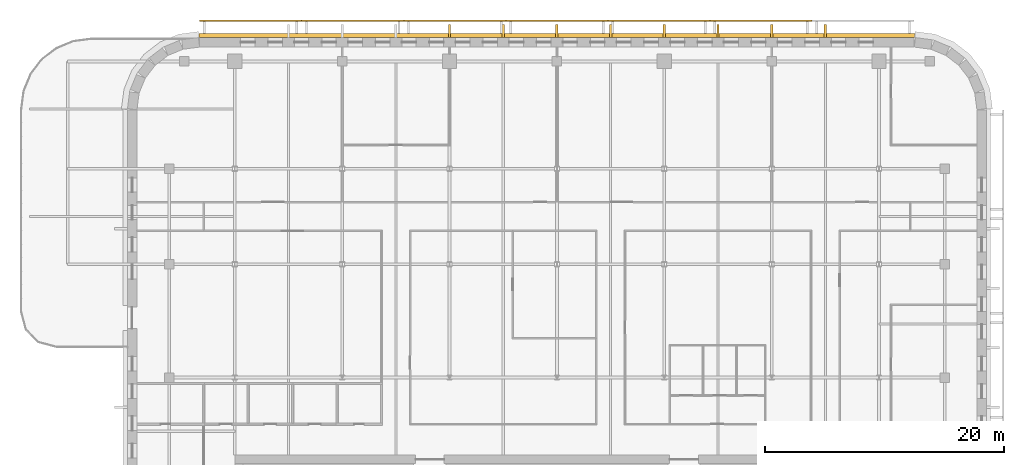
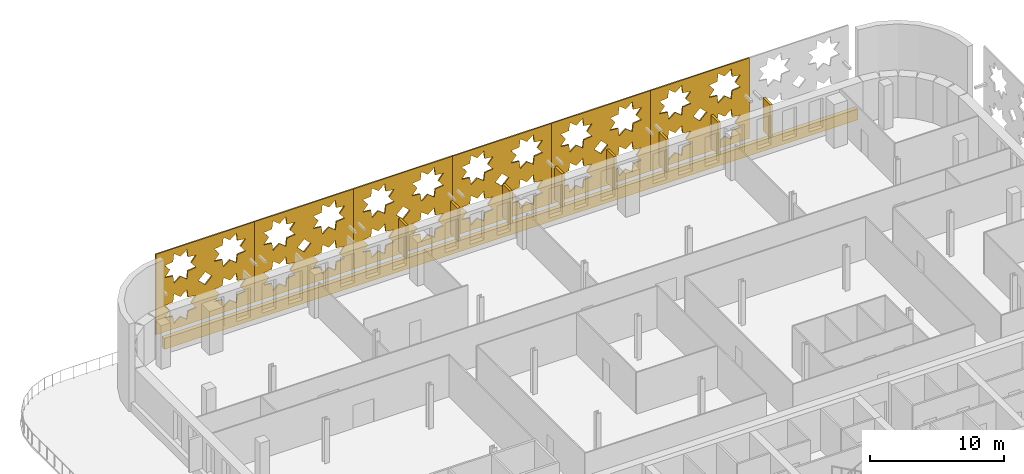
# One storey, part 15 of 17: 15 coverings.
"""IFC4 building model written with IfcOpenShell, lengths in metres."""

import ifcopenshell
import ifcopenshell.guid

model = None  # the IFC model being written
_history = None  # IfcOwnerHistory: only IFC2X3 demands one
_inside = {}  # id of a spatial element -> (the spatial element, [elements in it])
_under = {}  # id of a project, library or spatial element -> (it, [spatial elements below it])
_declared = {}  # id of a project -> (the project, [libraries it declares])
_typed = {}  # id of a type object -> (the type object, [elements of that type])
_made_of = {}  # id of a material, layer set ... -> (it, [elements and type objects made of it])


def new_model(schema):
    """Start an empty IFC model of exactly this schema.

    Asked for "IFC4X3", IfcOpenShell would pick the latest addendum, in which some entities
    have other attributes; the version numbers below select the first issue.
    IFC2X3 requires an IfcOwnerHistory on every rooted entity: one is made here for all.
    """
    global model, _history
    if schema == "IFC4X3":
        model = ifcopenshell.file(schema_version=(4, 3, 0, 0))
    else:
        model = ifcopenshell.file(schema=schema)
    _inside.clear()
    _under.clear()
    _declared.clear()
    _typed.clear()
    _made_of.clear()
    _history = None
    if model.schema == "IFC2X3":
        org = make("IfcOrganization", Name="unknown")
        user = make(
            "IfcPersonAndOrganization",
            ThePerson=make("IfcPerson", FamilyName="unknown"),
            TheOrganization=org,
        )
        app = make(
            "IfcApplication",
            ApplicationDeveloper=org,
            Version="unknown",
            ApplicationFullName="unknown",
            ApplicationIdentifier="unknown",
        )
        _history = make(
            "IfcOwnerHistory",
            OwningUser=user,
            OwningApplication=app,
            ChangeAction="ADDED",
            CreationDate=0,
        )
    return model


def make(cls, **values):
    """One entity of the class cls with the attributes given. An attribute that is None is left unset."""
    return model.create_entity(
        cls, **{name: value for name, value in values.items() if value is not None}
    )


def rooted(cls, **values):
    """An entity with a GlobalId (a new one), such as an element, a storey or a relation."""
    return make(cls, GlobalId=ifcopenshell.guid.new(), OwnerHistory=_history, **values)


def si_unit(unit_type, name, prefix=None):
    """IfcSIUnit, for example si_unit("LENGTHUNIT", "METRE", prefix="MILLI")."""
    return make("IfcSIUnit", UnitType=unit_type, Prefix=prefix, Name=name)


def assignment(units):
    """IfcUnitAssignment: the units of a project."""
    return None if units is None else make("IfcUnitAssignment", Units=units)


def point(xyz):
    """IfcCartesianPoint."""
    return None if xyz is None else make("IfcCartesianPoint", Coordinates=xyz)


def direction(xyz):
    """IfcDirection."""
    return None if xyz is None else make("IfcDirection", DirectionRatios=xyz)


def frame(location, z_axis=None, x_axis=None):
    """IfcAxis2Placement3D, a coordinate frame: its origin and axes. An axis left out is left unset."""
    return make(
        "IfcAxis2Placement3D",
        Location=point(location),
        Axis=direction(z_axis),
        RefDirection=direction(x_axis),
    )


def origin():
    """The frame at (0, 0, 0) with its axes left unset."""
    return frame((0.0, 0.0, 0.0))


def place(relative_to, where):
    """IfcLocalPlacement: puts the frame where relative to a parent placement (None: the world)."""
    return make(
        "IfcLocalPlacement", PlacementRelTo=relative_to, RelativePlacement=where
    )


def context(
    kind, dimensions, precision=None, world=None, true_north=None, identifier=None
):
    """IfcGeometricRepresentationContext, for example the 3D "Model" context."""
    return make(
        "IfcGeometricRepresentationContext",
        ContextIdentifier=identifier,
        ContextType=kind,
        CoordinateSpaceDimension=dimensions,
        Precision=precision,
        WorldCoordinateSystem=world,
        TrueNorth=true_north,
    )


def subcontext(parent, identifier, kind, view, scale=None):
    """IfcGeometricRepresentationSubContext, for example "Body" below "Model"."""
    return make(
        "IfcGeometricRepresentationSubContext",
        ContextIdentifier=identifier,
        ContextType=kind,
        ParentContext=parent,
        TargetScale=scale,
        TargetView=view,
    )


def project(units=None, contexts=None):
    """IfcProject with its units and contexts."""
    return rooted(
        "IfcProject",
        Name="project",
        RepresentationContexts=contexts,
        UnitsInContext=assignment(units),
    )


def spatial(cls, under=None, at=None, **own):
    """A site, building, storey or space (cls), placed at a placement, below another one or the project."""
    s = rooted(cls, ObjectPlacement=at, **own)
    if under is not None:
        _under.setdefault(under.id(), (under, []))[1].append(s)
    return s


def polyline(points):
    """IfcPolyline through the points."""
    return make("IfcPolyline", Points=[point(p) for p in points])


def outline(outer, holes=None, kind="AREA"):
    """IfcArbitraryClosedProfileDef: a profile drawn as a closed curve; with holes, ...WithVoids."""
    if holes is None:
        return make("IfcArbitraryClosedProfileDef", ProfileType=kind, OuterCurve=outer)
    return make(
        "IfcArbitraryProfileDefWithVoids",
        ProfileType=kind,
        OuterCurve=outer,
        InnerCurves=holes,
    )


def extrude(swept, where, along, depth):
    """IfcExtrudedAreaSolid: the profile swept, set in the frame where, extruded along a direction by depth."""
    return make(
        "IfcExtrudedAreaSolid",
        SweptArea=swept,
        Position=where,
        ExtrudedDirection=direction(along),
        Depth=depth,
    )


def shape(context_of_items, identifier, shape_type, items):
    """IfcShapeRepresentation: the items that make up one representation, for example the "Body"."""
    return make(
        "IfcShapeRepresentation",
        ContextOfItems=context_of_items,
        RepresentationIdentifier=identifier,
        RepresentationType=shape_type,
        Items=items,
    )


def material(Name=None, Category=None):
    """IfcMaterial."""
    return make("IfcMaterial", Name=Name, Category=Category)


def layer(
    of_material, thickness, ventilated=None, Name=None, Category=None, Priority=None
):
    """IfcMaterialLayer: one layer of a wall or slab, of a material (None: an air gap)."""
    return make(
        "IfcMaterialLayer",
        Material=of_material,
        LayerThickness=thickness,
        IsVentilated=ventilated,
        Name=Name,
        Category=Category,
        Priority=Priority,
    )


def layer_set(layers, Name=None):
    """IfcMaterialLayerSet."""
    return make("IfcMaterialLayerSet", MaterialLayers=layers, LayerSetName=Name)


def made_of(thing, what):
    """Note that an element or type object is made of a material, layer set ...; save() writes the relation."""
    if what is not None:
        _made_of.setdefault(what.id(), (what, []))[1].append(thing)
    return thing


def type_object(cls, material=None, **own):
    """A type object (cls), such as IfcWallType, which elements share."""
    return made_of(rooted(cls, **own), material)


def element(
    cls,
    number,
    at=None,
    inside=None,
    cuts=None,
    type_object=None,
    material=None,
    context=None,
    identifier="Body",
    shape_type=None,
    held_by="IfcProductDefinitionShape",
    body=None,
    shapes=None,
    **own,
):
    """One element of the class cls, such as IfcWall. Its Tag is "e" and its number.

    at: its placement. inside: the storey or other place that contains it. cuts: it is an
    opening in that element (IfcRelVoidsElement). A single representation is given by context,
    identifier, shape_type and body (its items); several are given by shapes. held_by: the class
    of the entity that holds the representations. save() writes the other relations.
    """
    e = rooted(cls, Tag="e%d" % number, ObjectPlacement=at, **own)
    if body is not None:
        shapes = [shape(context, identifier, shape_type, body)]
    if shapes is not None:
        e.Representation = make(held_by, Representations=shapes)
    if inside is not None:
        _inside.setdefault(inside.id(), (inside, []))[1].append(e)
    if cuts is not None:
        rooted(
            "IfcRelVoidsElement", RelatingBuildingElement=cuts, RelatedOpeningElement=e
        )
    if type_object is not None:
        _typed.setdefault(type_object.id(), (type_object, []))[1].append(e)
    return made_of(e, material)


def aggregate(whole, parts):
    """IfcRelAggregates: a whole, such as a stair, and the parts it consists of."""
    return rooted("IfcRelAggregates", RelatingObject=whole, RelatedObjects=parts)


def save(model, path):
    """Write the relations noted so far, then the file.

    IfcRelAggregates (storeys below a building ...), IfcRelContainedInSpatialStructure (elements
    in a storey), IfcRelDefinesByType, IfcRelAssociatesMaterial and IfcRelDeclares: one each for
    every whole, place, type object, material and project.
    """
    for whole, parts in _under.values():
        aggregate(whole, parts)
    for where, things in _inside.values():
        rooted(
            "IfcRelContainedInSpatialStructure",
            RelatedElements=things,
            RelatingStructure=where,
        )
    for kind, things in _typed.values():
        rooted("IfcRelDefinesByType", RelatedObjects=things, RelatingType=kind)
    for what, things in _made_of.values():
        rooted("IfcRelAssociatesMaterial", RelatedObjects=things, RelatingMaterial=what)
    for by, libraries in _declared.values():
        rooted("IfcRelDeclares", RelatingContext=by, RelatedDefinitions=libraries)
    model.write(path)


model = new_model("IFC4")

# Units and contexts
model_context = context("Model", 3, precision=1e-05, world=origin(), true_north=direction((0.0, 1.0)))
body_context = subcontext(model_context, "Body", "Model", "MODEL_VIEW")
ifc_project = project(units=[si_unit("LENGTHUNIT", "METRE"), si_unit("AREAUNIT", "SQUARE_METRE"), si_unit("VOLUMEUNIT", "CUBIC_METRE"), si_unit("PLANEANGLEUNIT", "RADIAN"), si_unit("MASSUNIT", "GRAM", prefix="KILO")], contexts=[model_context])

# Site, building, storey
site_placement = place(None, origin())
site = spatial("IfcSite", under=ifc_project, at=site_placement, CompositionType="ELEMENT")
building_placement = place(site_placement, origin())
building = spatial("IfcBuilding", under=site, at=building_placement, Name="Zellij Exchange Tower", CompositionType="ELEMENT")
storey_placement = place(building_placement, frame((0.0, 0.0, 256.5)))
storey = spatial("IfcBuildingStorey", under=building, at=storey_placement, Name="L60", CompositionType="ELEMENT", Elevation=256.5)

# Coverings
ifc_material_1 = material(Name="Limestone cladding", Category="masonry")
ifc_layer_1 = layer(ifc_material_1, 0.35009765625)
ifc_layer_set_1 = layer_set([ifc_layer_1], Name="Limestone cladding")
covering_type_1 = type_object("IfcCoveringType", Name="ENV-CV10 Stone spandrel band 350", PredefinedType="CLADDING", material=ifc_layer_set_1)
covering_1_placement = place(storey_placement, frame((0.0, 0.0, -0.199951171875)))
element("IfcCovering", 1, at=covering_1_placement, inside=storey, type_object=covering_type_1, Name="Stone spandrel band", PredefinedType="CLADDING", context=body_context, shape_type="SweptSolid", body=[
    extrude(outline(polyline([(29.973876953125, 33.0), (-29.973876953125, 33.0), (-29.99658203125, 33.35009765625), (29.99658203125, 33.35009765625), (29.973876953125, 33.0)])), origin(), (0.0, 0.0, 1.0), 1.0),
])
covering_type_2 = type_object("IfcCoveringType", Name="ENV-CV6 Stone pier 200x1100", PredefinedType="CLADDING", material=ifc_material_1)
covering_2_placement = place(storey_placement, frame((0.0, 0.0, 0.800048828125)))
element("IfcCovering", 2, at=covering_2_placement, inside=storey, type_object=covering_type_2, Name="Stone pier", PredefinedType="CLADDING", context=body_context, shape_type="SweptSolid", body=[
    extrude(outline(polyline([(22.60009765625, 33.0), (22.39990234375, 33.0), (22.39990234375, 34.10009765625), (22.60009765625, 34.10009765625), (22.60009765625, 33.0)])), origin(), (0.0, 0.0, 1.0), 3.0),
])
covering_3_placement = place(storey_placement, frame((0.0, 0.0, 0.800048828125)))
element("IfcCovering", 3, at=covering_3_placement, inside=storey, type_object=covering_type_2, Name="Stone pier", PredefinedType="CLADDING", context=body_context, shape_type="SweptSolid", body=[
    extrude(outline(polyline([(18.10009765625, 33.0), (17.89990234375, 33.0), (17.89990234375, 34.10009765625), (18.10009765625, 34.10009765625), (18.10009765625, 33.0)])), origin(), (0.0, 0.0, 1.0), 3.0),
])
covering_4_placement = place(storey_placement, frame((0.0, 0.0, 0.800048828125)))
element("IfcCovering", 4, at=covering_4_placement, inside=storey, type_object=covering_type_2, Name="Stone pier", PredefinedType="CLADDING", context=body_context, shape_type="SweptSolid", body=[
    extrude(outline(polyline([(13.60009765625, 33.0), (13.39990234375, 33.0), (13.39990234375, 34.10009765625), (13.60009765625, 34.10009765625), (13.60009765625, 33.0)])), origin(), (0.0, 0.0, 1.0), 3.0),
])
covering_5_placement = place(storey_placement, frame((0.0, 0.0, 0.800048828125)))
element("IfcCovering", 5, at=covering_5_placement, inside=storey, type_object=covering_type_2, Name="Stone pier", PredefinedType="CLADDING", context=body_context, shape_type="SweptSolid", body=[
    extrude(outline(polyline([(9.10009765625, 33.0), (8.89990234375, 33.0), (8.89990234375, 34.10009765625), (9.10009765625, 34.10009765625), (9.10009765625, 33.0)])), origin(), (0.0, 0.0, 1.0), 3.0),
])
covering_6_placement = place(storey_placement, frame((0.0, 0.0, 0.800048828125)))
element("IfcCovering", 6, at=covering_6_placement, inside=storey, type_object=covering_type_2, Name="Stone pier", PredefinedType="CLADDING", context=body_context, shape_type="SweptSolid", body=[
    extrude(outline(polyline([(4.60009765625, 33.0), (4.39990234375, 33.0), (4.39990234375, 34.10009765625), (4.60009765625, 34.10009765625), (4.60009765625, 33.0)])), origin(), (0.0, 0.0, 1.0), 3.0),
])
covering_7_placement = place(storey_placement, frame((0.0, 0.0, 0.800048828125)))
element("IfcCovering", 7, at=covering_7_placement, inside=storey, type_object=covering_type_2, Name="Stone pier", PredefinedType="CLADDING", context=body_context, shape_type="SweptSolid", body=[
    extrude(outline(polyline([(0.10009765625, 33.0), (-0.10009765625, 33.0), (-0.10009765625, 34.10009765625), (0.10009765625, 34.10009765625), (0.10009765625, 33.0)])), origin(), (0.0, 0.0, 1.0), 3.0),
])
covering_8_placement = place(storey_placement, frame((0.0, 0.0, 0.800048828125)))
element("IfcCovering", 8, at=covering_8_placement, inside=storey, type_object=covering_type_2, Name="Stone pier", PredefinedType="CLADDING", context=body_context, shape_type="SweptSolid", body=[
    extrude(outline(polyline([(-4.39990234375, 33.0), (-4.60009765625, 33.0), (-4.60009765625, 34.10009765625), (-4.39990234375, 34.10009765625), (-4.39990234375, 33.0)])), origin(), (0.0, 0.0, 1.0), 3.0),
])
covering_9_placement = place(storey_placement, frame((0.0, 0.0, 0.800048828125)))
element("IfcCovering", 9, at=covering_9_placement, inside=storey, type_object=covering_type_2, Name="Stone pier", PredefinedType="CLADDING", context=body_context, shape_type="SweptSolid", body=[
    extrude(outline(polyline([(-8.89990234375, 33.0), (-9.10009765625, 33.0), (-9.10009765625, 34.10009765625), (-8.89990234375, 34.10009765625), (-8.89990234375, 33.0)])), origin(), (0.0, 0.0, 1.0), 3.0),
])
ifc_material_2 = material(Name="Limestone screen", Category="masonry")
ifc_layer_2 = layer(ifc_material_2, 0.1201171875)
ifc_layer_set_2 = layer_set([ifc_layer_2], Name="Limestone screen")
covering_type_3 = type_object("IfcCoveringType", Name="ENV-SC1 Pierced stone screen 120", PredefinedType="USERDEFINED", material=ifc_layer_set_2)
covering_10_placement = place(storey_placement, frame((21.39111328125, 34.409912109375, 0.300048828125), z_axis=(0.0, 0.0, 1.0), x_axis=(-1.0, 0.0, 0.0)))
element("IfcCovering", 10, at=covering_10_placement, inside=storey, type_object=covering_type_3, Name="Pierced stone screen", ObjectType="SCREEN", PredefinedType="USERDEFINED", context=body_context, shape_type="SweptSolid", body=[
    extrude(outline(polyline([(0.0, 0.0), (8.556396484375, 0.0), (8.556396484375, 7.35009765625), (0.0, 7.35009765625), (0.0, 0.0)]), holes=[polyline([(3.497314453125, 2.39990234375), (2.78369140625, 2.48193359375), (2.70166015625, 3.195556640625), (2.13916015625, 2.748779296875), (1.57666015625, 3.195556640625), (1.49462890625, 2.48193359375), (0.781005859375, 2.39990234375), (1.227783203125, 1.83740234375), (0.781005859375, 1.27490234375), (1.49462890625, 1.193115234375), (1.57666015625, 0.4794921875), (2.13916015625, 0.926025390625), (2.70166015625, 0.4794921875), (2.78369140625, 1.193115234375), (3.497314453125, 1.27490234375), (3.050537109375, 1.83740234375), (3.497314453125, 2.39990234375)]), polyline([(3.497314453125, 6.074951171875), (2.78369140625, 6.156982421875), (2.70166015625, 6.87060546875), (2.13916015625, 6.423828125), (1.57666015625, 6.87060546875), (1.49462890625, 6.156982421875), (0.781005859375, 6.074951171875), (1.227783203125, 5.512451171875), (0.781005859375, 4.949951171875), (1.49462890625, 4.867919921875), (1.57666015625, 4.154296875), (2.13916015625, 4.60107421875), (2.70166015625, 4.154296875), (2.78369140625, 4.867919921875), (3.497314453125, 4.949951171875), (3.050537109375, 5.512451171875), (3.497314453125, 6.074951171875)]), polyline([(7.775390625, 2.39990234375), (7.061767578125, 2.48193359375), (6.97998046875, 3.195556640625), (6.417236328125, 2.748779296875), (5.854736328125, 3.195556640625), (5.77294921875, 2.48193359375), (5.05908203125, 2.39990234375), (5.505859375, 1.83740234375), (5.05908203125, 1.27490234375), (5.77294921875, 1.193115234375), (5.854736328125, 0.4794921875), (6.417236328125, 0.926025390625), (6.97998046875, 0.4794921875), (7.061767578125, 1.193115234375), (7.775390625, 1.27490234375), (7.32861328125, 1.83740234375), (7.775390625, 2.39990234375)]), polyline([(7.775390625, 6.074951171875), (7.061767578125, 6.156982421875), (6.97998046875, 6.87060546875), (6.417236328125, 6.423828125), (5.854736328125, 6.87060546875), (5.77294921875, 6.156982421875), (5.05908203125, 6.074951171875), (5.505859375, 5.512451171875), (5.05908203125, 4.949951171875), (5.77294921875, 4.867919921875), (5.854736328125, 4.154296875), (6.417236328125, 4.60107421875), (6.97998046875, 4.154296875), (7.061767578125, 4.867919921875), (7.775390625, 4.949951171875), (7.32861328125, 5.512451171875), (7.775390625, 6.074951171875)]), polyline([(4.8662109375, 3.675048828125), (4.2783203125, 4.262939453125), (3.690185546875, 3.675048828125), (4.2783203125, 3.0869140625), (4.8662109375, 3.675048828125)])]), frame((0.0, 0.06005859375, 0.0), z_axis=(0.0, -1.0, 0.0), x_axis=(1.0, 0.0, 0.0)), (0.0, 0.0, 1.0), 0.1201171875),
])
covering_11_placement = place(storey_placement, frame((12.834716796875, 34.409912109375, 0.300048828125), z_axis=(0.0, 0.0, 1.0), x_axis=(-1.0, 0.0, 0.0)))
element("IfcCovering", 11, at=covering_11_placement, inside=storey, type_object=covering_type_3, Name="Pierced stone screen", ObjectType="SCREEN", PredefinedType="USERDEFINED", context=body_context, shape_type="SweptSolid", body=[
    extrude(outline(polyline([(0.0, 0.0), (8.556396484375, 0.0), (8.556396484375, 7.35009765625), (0.0, 7.35009765625), (0.0, 0.0)]), holes=[polyline([(3.497314453125, 2.39990234375), (2.78369140625, 2.48193359375), (2.70166015625, 3.195556640625), (2.13916015625, 2.748779296875), (1.57666015625, 3.195556640625), (1.49462890625, 2.48193359375), (0.781005859375, 2.39990234375), (1.227783203125, 1.83740234375), (0.781005859375, 1.27490234375), (1.49462890625, 1.193115234375), (1.57666015625, 0.4794921875), (2.13916015625, 0.926025390625), (2.70166015625, 0.4794921875), (2.78369140625, 1.193115234375), (3.497314453125, 1.27490234375), (3.050537109375, 1.83740234375), (3.497314453125, 2.39990234375)]), polyline([(3.497314453125, 6.074951171875), (2.78369140625, 6.156982421875), (2.70166015625, 6.87060546875), (2.13916015625, 6.423828125), (1.57666015625, 6.87060546875), (1.49462890625, 6.156982421875), (0.781005859375, 6.074951171875), (1.227783203125, 5.512451171875), (0.781005859375, 4.949951171875), (1.49462890625, 4.867919921875), (1.57666015625, 4.154296875), (2.13916015625, 4.60107421875), (2.70166015625, 4.154296875), (2.78369140625, 4.867919921875), (3.497314453125, 4.949951171875), (3.050537109375, 5.512451171875), (3.497314453125, 6.074951171875)]), polyline([(7.775390625, 2.39990234375), (7.061767578125, 2.48193359375), (6.97998046875, 3.195556640625), (6.417236328125, 2.748779296875), (5.854736328125, 3.195556640625), (5.77294921875, 2.48193359375), (5.05908203125, 2.39990234375), (5.505859375, 1.83740234375), (5.05908203125, 1.27490234375), (5.77294921875, 1.193115234375), (5.854736328125, 0.4794921875), (6.417236328125, 0.926025390625), (6.97998046875, 0.4794921875), (7.061767578125, 1.193115234375), (7.775390625, 1.27490234375), (7.32861328125, 1.83740234375), (7.775390625, 2.39990234375)]), polyline([(7.775390625, 6.074951171875), (7.061767578125, 6.156982421875), (6.97998046875, 6.87060546875), (6.417236328125, 6.423828125), (5.854736328125, 6.87060546875), (5.77294921875, 6.156982421875), (5.05908203125, 6.074951171875), (5.505859375, 5.512451171875), (5.05908203125, 4.949951171875), (5.77294921875, 4.867919921875), (5.854736328125, 4.154296875), (6.417236328125, 4.60107421875), (6.97998046875, 4.154296875), (7.061767578125, 4.867919921875), (7.775390625, 4.949951171875), (7.32861328125, 5.512451171875), (7.775390625, 6.074951171875)]), polyline([(4.8662109375, 3.675048828125), (4.2783203125, 4.262939453125), (3.690185546875, 3.675048828125), (4.2783203125, 3.0869140625), (4.8662109375, 3.675048828125)])]), frame((0.0, 0.06005859375, 0.0), z_axis=(0.0, -1.0, 0.0), x_axis=(1.0, 0.0, 0.0)), (0.0, 0.0, 1.0), 0.1201171875),
])
covering_12_placement = place(storey_placement, frame((4.2783203125, 34.409912109375, 0.300048828125), z_axis=(0.0, 0.0, 1.0), x_axis=(-1.0, 0.0, 0.0)))
element("IfcCovering", 12, at=covering_12_placement, inside=storey, type_object=covering_type_3, Name="Pierced stone screen", ObjectType="SCREEN", PredefinedType="USERDEFINED", context=body_context, shape_type="SweptSolid", body=[
    extrude(outline(polyline([(0.0, 0.0), (8.556396484375, 0.0), (8.556396484375, 7.35009765625), (0.0, 7.35009765625), (0.0, 0.0)]), holes=[polyline([(3.497314453125, 2.39990234375), (2.78369140625, 2.48193359375), (2.70166015625, 3.195556640625), (2.13916015625, 2.748779296875), (1.57666015625, 3.195556640625), (1.49462890625, 2.48193359375), (0.781005859375, 2.39990234375), (1.227783203125, 1.83740234375), (0.781005859375, 1.27490234375), (1.49462890625, 1.193115234375), (1.57666015625, 0.4794921875), (2.13916015625, 0.926025390625), (2.70166015625, 0.4794921875), (2.78369140625, 1.193115234375), (3.497314453125, 1.27490234375), (3.050537109375, 1.83740234375), (3.497314453125, 2.39990234375)]), polyline([(3.497314453125, 6.074951171875), (2.78369140625, 6.156982421875), (2.70166015625, 6.87060546875), (2.13916015625, 6.423828125), (1.57666015625, 6.87060546875), (1.49462890625, 6.156982421875), (0.781005859375, 6.074951171875), (1.227783203125, 5.512451171875), (0.781005859375, 4.949951171875), (1.49462890625, 4.867919921875), (1.57666015625, 4.154296875), (2.13916015625, 4.60107421875), (2.70166015625, 4.154296875), (2.78369140625, 4.867919921875), (3.497314453125, 4.949951171875), (3.050537109375, 5.512451171875), (3.497314453125, 6.074951171875)]), polyline([(7.775390625, 2.39990234375), (7.061767578125, 2.48193359375), (6.97998046875, 3.195556640625), (6.417236328125, 2.748779296875), (5.854736328125, 3.195556640625), (5.77294921875, 2.48193359375), (5.05908203125, 2.39990234375), (5.505859375, 1.83740234375), (5.05908203125, 1.27490234375), (5.77294921875, 1.193115234375), (5.854736328125, 0.4794921875), (6.417236328125, 0.926025390625), (6.97998046875, 0.4794921875), (7.061767578125, 1.193115234375), (7.775390625, 1.27490234375), (7.32861328125, 1.83740234375), (7.775390625, 2.39990234375)]), polyline([(7.775390625, 6.074951171875), (7.061767578125, 6.156982421875), (6.97998046875, 6.87060546875), (6.417236328125, 6.423828125), (5.854736328125, 6.87060546875), (5.77294921875, 6.156982421875), (5.05908203125, 6.074951171875), (5.505859375, 5.512451171875), (5.05908203125, 4.949951171875), (5.77294921875, 4.867919921875), (5.854736328125, 4.154296875), (6.417236328125, 4.60107421875), (6.97998046875, 4.154296875), (7.061767578125, 4.867919921875), (7.775390625, 4.949951171875), (7.32861328125, 5.512451171875), (7.775390625, 6.074951171875)]), polyline([(4.8662109375, 3.675048828125), (4.2783203125, 4.262939453125), (3.690185546875, 3.675048828125), (4.2783203125, 3.0869140625), (4.8662109375, 3.675048828125)])]), frame((0.0, 0.06005859375, 0.0), z_axis=(0.0, -1.0, 0.0), x_axis=(1.0, 0.0, 0.0)), (0.0, 0.0, 1.0), 0.1201171875),
])
covering_13_placement = place(storey_placement, frame((-4.2783203125, 34.409912109375, 0.300048828125), z_axis=(0.0, 0.0, 1.0), x_axis=(-1.0, 0.0, 0.0)))
element("IfcCovering", 13, at=covering_13_placement, inside=storey, type_object=covering_type_3, Name="Pierced stone screen", ObjectType="SCREEN", PredefinedType="USERDEFINED", context=body_context, shape_type="SweptSolid", body=[
    extrude(outline(polyline([(0.0, 0.0), (8.556396484375, 0.0), (8.556396484375, 7.35009765625), (0.0, 7.35009765625), (0.0, 0.0)]), holes=[polyline([(3.497314453125, 2.39990234375), (2.78369140625, 2.48193359375), (2.70166015625, 3.195556640625), (2.13916015625, 2.748779296875), (1.57666015625, 3.195556640625), (1.49462890625, 2.48193359375), (0.781005859375, 2.39990234375), (1.227783203125, 1.83740234375), (0.781005859375, 1.27490234375), (1.49462890625, 1.193115234375), (1.57666015625, 0.4794921875), (2.13916015625, 0.926025390625), (2.70166015625, 0.4794921875), (2.78369140625, 1.193115234375), (3.497314453125, 1.27490234375), (3.050537109375, 1.83740234375), (3.497314453125, 2.39990234375)]), polyline([(3.497314453125, 6.074951171875), (2.78369140625, 6.156982421875), (2.70166015625, 6.87060546875), (2.13916015625, 6.423828125), (1.57666015625, 6.87060546875), (1.49462890625, 6.156982421875), (0.781005859375, 6.074951171875), (1.227783203125, 5.512451171875), (0.781005859375, 4.949951171875), (1.49462890625, 4.867919921875), (1.57666015625, 4.154296875), (2.13916015625, 4.60107421875), (2.70166015625, 4.154296875), (2.78369140625, 4.867919921875), (3.497314453125, 4.949951171875), (3.050537109375, 5.512451171875), (3.497314453125, 6.074951171875)]), polyline([(7.775390625, 2.39990234375), (7.061767578125, 2.48193359375), (6.97998046875, 3.195556640625), (6.417236328125, 2.748779296875), (5.854736328125, 3.195556640625), (5.77294921875, 2.48193359375), (5.05908203125, 2.39990234375), (5.505859375, 1.83740234375), (5.05908203125, 1.27490234375), (5.77294921875, 1.193115234375), (5.854736328125, 0.4794921875), (6.417236328125, 0.926025390625), (6.97998046875, 0.4794921875), (7.061767578125, 1.193115234375), (7.775390625, 1.27490234375), (7.32861328125, 1.83740234375), (7.775390625, 2.39990234375)]), polyline([(7.775390625, 6.074951171875), (7.061767578125, 6.156982421875), (6.97998046875, 6.87060546875), (6.417236328125, 6.423828125), (5.854736328125, 6.87060546875), (5.77294921875, 6.156982421875), (5.05908203125, 6.074951171875), (5.505859375, 5.512451171875), (5.05908203125, 4.949951171875), (5.77294921875, 4.867919921875), (5.854736328125, 4.154296875), (6.417236328125, 4.60107421875), (6.97998046875, 4.154296875), (7.061767578125, 4.867919921875), (7.775390625, 4.949951171875), (7.32861328125, 5.512451171875), (7.775390625, 6.074951171875)]), polyline([(4.8662109375, 3.675048828125), (4.2783203125, 4.262939453125), (3.690185546875, 3.675048828125), (4.2783203125, 3.0869140625), (4.8662109375, 3.675048828125)])]), frame((0.0, 0.06005859375, 0.0), z_axis=(0.0, -1.0, 0.0), x_axis=(1.0, 0.0, 0.0)), (0.0, 0.0, 1.0), 0.1201171875),
])
covering_14_placement = place(storey_placement, frame((-12.834716796875, 34.409912109375, 0.300048828125), z_axis=(0.0, 0.0, 1.0), x_axis=(-1.0, 0.0, 0.0)))
element("IfcCovering", 14, at=covering_14_placement, inside=storey, type_object=covering_type_3, Name="Pierced stone screen", ObjectType="SCREEN", PredefinedType="USERDEFINED", context=body_context, shape_type="SweptSolid", body=[
    extrude(outline(polyline([(0.0, 0.0), (8.556396484375, 0.0), (8.556396484375, 7.35009765625), (0.0, 7.35009765625), (0.0, 0.0)]), holes=[polyline([(3.497314453125, 2.39990234375), (2.78369140625, 2.48193359375), (2.70166015625, 3.195556640625), (2.13916015625, 2.748779296875), (1.57666015625, 3.195556640625), (1.49462890625, 2.48193359375), (0.781005859375, 2.39990234375), (1.227783203125, 1.83740234375), (0.781005859375, 1.27490234375), (1.49462890625, 1.193115234375), (1.57666015625, 0.4794921875), (2.13916015625, 0.926025390625), (2.70166015625, 0.4794921875), (2.78369140625, 1.193115234375), (3.497314453125, 1.27490234375), (3.050537109375, 1.83740234375), (3.497314453125, 2.39990234375)]), polyline([(3.497314453125, 6.074951171875), (2.78369140625, 6.156982421875), (2.70166015625, 6.87060546875), (2.13916015625, 6.423828125), (1.57666015625, 6.87060546875), (1.49462890625, 6.156982421875), (0.781005859375, 6.074951171875), (1.227783203125, 5.512451171875), (0.781005859375, 4.949951171875), (1.49462890625, 4.867919921875), (1.57666015625, 4.154296875), (2.13916015625, 4.60107421875), (2.70166015625, 4.154296875), (2.78369140625, 4.867919921875), (3.497314453125, 4.949951171875), (3.050537109375, 5.512451171875), (3.497314453125, 6.074951171875)]), polyline([(7.775390625, 2.39990234375), (7.061767578125, 2.48193359375), (6.97998046875, 3.195556640625), (6.417236328125, 2.748779296875), (5.854736328125, 3.195556640625), (5.77294921875, 2.48193359375), (5.05908203125, 2.39990234375), (5.505859375, 1.83740234375), (5.05908203125, 1.27490234375), (5.77294921875, 1.193115234375), (5.854736328125, 0.4794921875), (6.417236328125, 0.926025390625), (6.97998046875, 0.4794921875), (7.061767578125, 1.193115234375), (7.775390625, 1.27490234375), (7.32861328125, 1.83740234375), (7.775390625, 2.39990234375)]), polyline([(7.775390625, 6.074951171875), (7.061767578125, 6.156982421875), (6.97998046875, 6.87060546875), (6.417236328125, 6.423828125), (5.854736328125, 6.87060546875), (5.77294921875, 6.156982421875), (5.05908203125, 6.074951171875), (5.505859375, 5.512451171875), (5.05908203125, 4.949951171875), (5.77294921875, 4.867919921875), (5.854736328125, 4.154296875), (6.417236328125, 4.60107421875), (6.97998046875, 4.154296875), (7.061767578125, 4.867919921875), (7.775390625, 4.949951171875), (7.32861328125, 5.512451171875), (7.775390625, 6.074951171875)]), polyline([(4.8662109375, 3.675048828125), (4.2783203125, 4.262939453125), (3.690185546875, 3.675048828125), (4.2783203125, 3.0869140625), (4.8662109375, 3.675048828125)])]), frame((0.0, 0.06005859375, 0.0), z_axis=(0.0, -1.0, 0.0), x_axis=(1.0, 0.0, 0.0)), (0.0, 0.0, 1.0), 0.1201171875),
])
covering_15_placement = place(storey_placement, frame((-21.39111328125, 34.409912109375, 0.300048828125), z_axis=(0.0, 0.0, 1.0), x_axis=(-1.0, 0.0, 0.0)))
element("IfcCovering", 15, at=covering_15_placement, inside=storey, type_object=covering_type_3, Name="Pierced stone screen", ObjectType="SCREEN", PredefinedType="USERDEFINED", context=body_context, shape_type="SweptSolid", body=[
    extrude(outline(polyline([(0.0, 0.0), (8.556396484375, 0.0), (8.556396484375, 7.35009765625), (0.0, 7.35009765625), (0.0, 0.0)]), holes=[polyline([(3.497314453125, 2.39990234375), (2.78369140625, 2.48193359375), (2.70166015625, 3.195556640625), (2.13916015625, 2.748779296875), (1.57666015625, 3.195556640625), (1.49462890625, 2.48193359375), (0.781005859375, 2.39990234375), (1.227783203125, 1.83740234375), (0.781005859375, 1.27490234375), (1.49462890625, 1.193115234375), (1.57666015625, 0.4794921875), (2.13916015625, 0.926025390625), (2.70166015625, 0.4794921875), (2.78369140625, 1.193115234375), (3.497314453125, 1.27490234375), (3.050537109375, 1.83740234375), (3.497314453125, 2.39990234375)]), polyline([(3.497314453125, 6.074951171875), (2.78369140625, 6.156982421875), (2.70166015625, 6.87060546875), (2.13916015625, 6.423828125), (1.57666015625, 6.87060546875), (1.49462890625, 6.156982421875), (0.781005859375, 6.074951171875), (1.227783203125, 5.512451171875), (0.781005859375, 4.949951171875), (1.49462890625, 4.867919921875), (1.57666015625, 4.154296875), (2.13916015625, 4.60107421875), (2.70166015625, 4.154296875), (2.78369140625, 4.867919921875), (3.497314453125, 4.949951171875), (3.050537109375, 5.512451171875), (3.497314453125, 6.074951171875)]), polyline([(7.775390625, 2.39990234375), (7.061767578125, 2.48193359375), (6.97998046875, 3.195556640625), (6.417236328125, 2.748779296875), (5.854736328125, 3.195556640625), (5.77294921875, 2.48193359375), (5.05908203125, 2.39990234375), (5.505859375, 1.83740234375), (5.05908203125, 1.27490234375), (5.77294921875, 1.193115234375), (5.854736328125, 0.4794921875), (6.417236328125, 0.926025390625), (6.97998046875, 0.4794921875), (7.061767578125, 1.193115234375), (7.775390625, 1.27490234375), (7.32861328125, 1.83740234375), (7.775390625, 2.39990234375)]), polyline([(7.775390625, 6.074951171875), (7.061767578125, 6.156982421875), (6.97998046875, 6.87060546875), (6.417236328125, 6.423828125), (5.854736328125, 6.87060546875), (5.77294921875, 6.156982421875), (5.05908203125, 6.074951171875), (5.505859375, 5.512451171875), (5.05908203125, 4.949951171875), (5.77294921875, 4.867919921875), (5.854736328125, 4.154296875), (6.417236328125, 4.60107421875), (6.97998046875, 4.154296875), (7.061767578125, 4.867919921875), (7.775390625, 4.949951171875), (7.32861328125, 5.512451171875), (7.775390625, 6.074951171875)]), polyline([(4.8662109375, 3.675048828125), (4.2783203125, 4.262939453125), (3.690185546875, 3.675048828125), (4.2783203125, 3.0869140625), (4.8662109375, 3.675048828125)])]), frame((0.0, 0.06005859375, 0.0), z_axis=(0.0, -1.0, 0.0), x_axis=(1.0, 0.0, 0.0)), (0.0, 0.0, 1.0), 0.1201171875),
])

save(model, "model.ifc")
